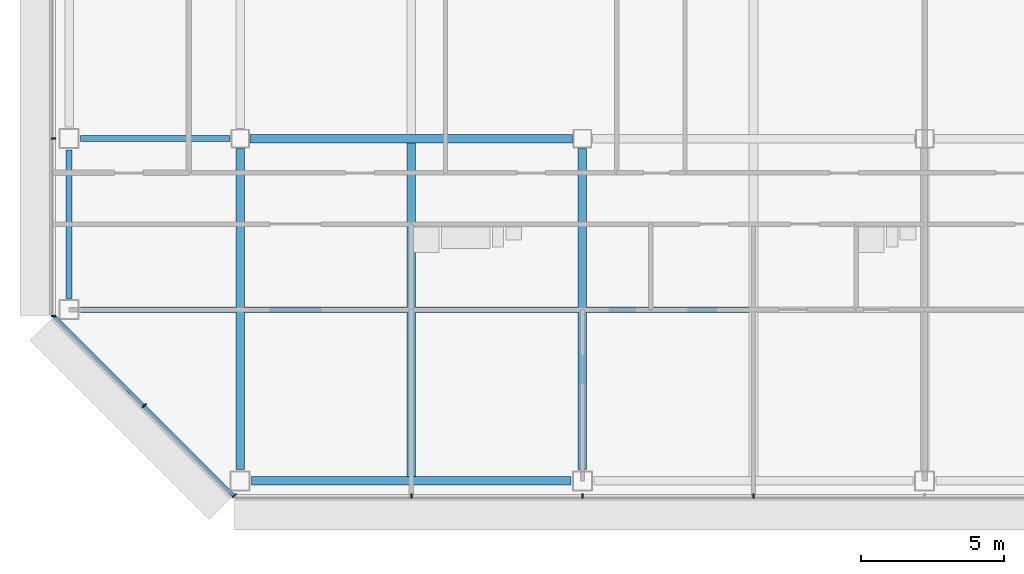
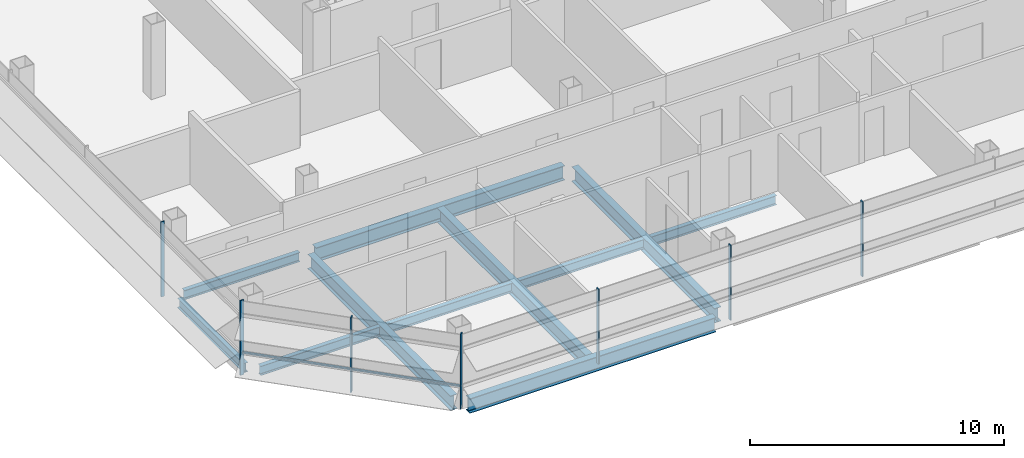
# One storey, part 2 of 26: 11 beams, 8 members, 3 elements without a shape of their own.
"""IFC4 building model written with IfcOpenShell, lengths in metres."""

from ifc_helpers import new_model, si_unit, direction, frame, origin, origin_2d, place, context, subcontext, project, spatial, rectangle, i_section, extrude, material, material_profile, profile_set, type_object, element, aggregate, save


model = new_model("IFC4")

# Units and contexts
model_context = context("Model", 3, precision=1e-05, world=origin(), true_north=direction((0.0, 1.0)))
body_context = subcontext(model_context, "Body", "Model", "MODEL_VIEW")
ifc_project = project(units=[si_unit("LENGTHUNIT", "METRE"), si_unit("AREAUNIT", "SQUARE_METRE"), si_unit("VOLUMEUNIT", "CUBIC_METRE"), si_unit("PLANEANGLEUNIT", "RADIAN"), si_unit("MASSUNIT", "GRAM", prefix="KILO")], contexts=[model_context])

# Site, building, storey
site_placement = place(None, origin())
site = spatial("IfcSite", under=ifc_project, at=site_placement, CompositionType="ELEMENT")
building_placement = place(site_placement, origin())
building = spatial("IfcBuilding", under=site, at=building_placement, Name="Sorahane Residences", CompositionType="ELEMENT")
storey_placement = place(building_placement, frame((0.0, 0.0, 147.39990234375)))
storey = spatial("IfcBuildingStorey", under=building, at=storey_placement, Name="L33", CompositionType="ELEMENT", Elevation=147.39990234375)

# Curtain wall, members
ifc_material_1 = material(Name="Dark low-e glass and black anodised aluminium", Category="aluminium")
curtain_wall_type_1 = type_object("IfcCurtainWallType", Name="Curtain wall CW-1 Typical unitised wall", PredefinedType="NOTDEFINED", material=ifc_material_1)
curtain_wall_1_placement = place(storey_placement, origin())
curtain_wall_1 = element("IfcCurtainWall", 1, at=curtain_wall_1_placement, inside=storey, type_object=curtain_wall_type_1, Name="CW-1 curtain wall L33 S1", PredefinedType="NOTDEFINED")
ifc_material_2 = material(Name="Black anodised aluminium", Category="aluminium")
ifc_material_profile_1 = material_profile(ifc_material_2, rectangle(XDim=0.159912109375, YDim=0.050048828125, at=origin_2d()), Name="Curtain wall mullion CW-1 black anodised aluminium 50x160")
ifc_profile_set_1 = profile_set([ifc_material_profile_1], Name="Black anodised aluminium")
member_type_1 = type_object("IfcMemberType", Name="Curtain wall mullion CW-1 black anodised aluminium 50x160", PredefinedType="MULLION", material=ifc_profile_set_1)
member_1_placement = place(storey_placement, frame((6.0, -0.5400390625, -0.179931640625), z_axis=(0.0, 0.0, 1.0), x_axis=(0.0, -1.0, 0.0)))
member_1 = element("IfcMember", 2, at=member_1_placement, type_object=member_type_1, Name="CW-1 mullion L33 S1.2", PredefinedType="MULLION", context=body_context, shape_type="SweptSolid", body=[
    extrude(rectangle(XDim=0.159912109375, YDim=0.050048828125, at=origin_2d()), origin(), (0.0, 0.0, 1.0), 3.60009765625),
])
member_2_placement = place(storey_placement, frame((12.0, -0.5400390625, -0.179931640625), z_axis=(0.0, 0.0, 1.0), x_axis=(0.0, -1.0, 0.0)))
member_2 = element("IfcMember", 3, at=member_2_placement, type_object=member_type_1, Name="CW-1 mullion L33 S1.3", PredefinedType="MULLION", context=body_context, shape_type="SweptSolid", body=[
    extrude(rectangle(XDim=0.159912109375, YDim=0.050048828125, at=origin_2d()), origin(), (0.0, 0.0, 1.0), 3.60009765625),
])
member_3_placement = place(storey_placement, frame((18.0, -0.5400390625, -0.179931640625), z_axis=(0.0, 0.0, 1.0), x_axis=(0.0, -1.0, 0.0)))
member_3 = element("IfcMember", 4, at=member_3_placement, type_object=member_type_1, Name="CW-1 mullion L33 S1.4", PredefinedType="MULLION", context=body_context, shape_type="SweptSolid", body=[
    extrude(rectangle(XDim=0.159912109375, YDim=0.050048828125, at=origin_2d()), origin(), (0.0, 0.0, 1.0), 3.60009765625),
])
aggregate(curtain_wall_1, [member_1, member_2, member_3])

curtain_wall_2_placement = place(storey_placement, origin())
curtain_wall_2 = element("IfcCurtainWall", 5, at=curtain_wall_2_placement, inside=storey, type_object=curtain_wall_type_1, Name="CW-1 curtain wall L33 W1", PredefinedType="NOTDEFINED")
member_4_placement = place(storey_placement, frame((-6.5400390625, 12.0, -0.179931640625), z_axis=(0.0, 0.0, 1.0), x_axis=(-1.0, 0.0, 0.0)))
member_4 = element("IfcMember", 6, at=member_4_placement, type_object=member_type_1, Name="CW-1 mullion L33 W1.6", PredefinedType="MULLION", context=body_context, shape_type="SweptSolid", body=[
    extrude(rectangle(XDim=0.159912109375, YDim=0.050048828125, at=origin_2d()), origin(), (0.0, 0.0, 1.0), 3.60009765625),
])
member_5_placement = place(storey_placement, frame((-6.5400390625, 5.7763671875, -0.179931640625), z_axis=(0.0, 0.0, 1.0), x_axis=(-1.0, 0.0, 0.0)))
member_5 = element("IfcMember", 7, at=member_5_placement, type_object=member_type_1, Name="CW-1 mullion L33 W1.7", PredefinedType="MULLION", context=body_context, shape_type="SweptSolid", body=[
    extrude(rectangle(XDim=0.159912109375, YDim=0.050048828125, at=origin_2d()), origin(), (0.0, 0.0, 1.0), 3.60009765625),
])
aggregate(curtain_wall_2, [member_4, member_5])

ifc_material_3 = material(Name="Dark low-e glass and black anodised aluminium", Category="aluminium")
curtain_wall_type_2 = type_object("IfcCurtainWallType", Name="Curtain wall CW-2 Chamfer unitised wall", PredefinedType="NOTDEFINED", material=ifc_material_3)
curtain_wall_3_placement = place(storey_placement, origin())
curtain_wall_3 = element("IfcCurtainWall", 8, at=curtain_wall_3_placement, inside=storey, type_object=curtain_wall_type_2, Name="CW-2 curtain wall L33 SW1", PredefinedType="NOTDEFINED")
ifc_material_4 = material(Name="Black anodised aluminium", Category="aluminium")
ifc_material_profile_2 = material_profile(ifc_material_4, rectangle(XDim=0.199951171875, YDim=0.050048828125, at=origin_2d()), Name="Curtain wall mullion CW-2 black anodised aluminium 50x200")
ifc_profile_set_2 = profile_set([ifc_material_profile_2], Name="Black anodised aluminium")
member_type_2 = type_object("IfcMemberType", Name="Curtain wall mullion CW-2 black anodised aluminium 50x200", PredefinedType="MULLION", material=ifc_profile_set_2)
member_6_placement = place(storey_placement, frame((-3.36767578125, 2.63232421875, -0.179931640625), z_axis=(0.0, 0.0, 1.0), x_axis=(-0.707106781187, -0.707106781187, 0.0)))
member_6 = element("IfcMember", 9, at=member_6_placement, type_object=member_type_2, Name="CW-2 mullion L33 SW1.2", PredefinedType="MULLION", context=body_context, shape_type="SweptSolid", body=[
    extrude(rectangle(XDim=0.199951171875, YDim=0.050048828125, at=origin_2d()), origin(), (0.0, 0.0, 1.0), 3.60009765625),
])
member_7_placement = place(storey_placement, frame((-0.209716796875, -0.525634765625, -0.179931640625), z_axis=(0.0, 0.0, 1.0), x_axis=(-0.707106781187, -0.707106781187, 0.0)))
member_7 = element("IfcMember", 10, at=member_7_placement, type_object=member_type_2, Name="CW-2 mullion L33 SW1.3", PredefinedType="MULLION", context=body_context, shape_type="SweptSolid", body=[
    extrude(rectangle(XDim=0.199951171875, YDim=0.050048828125, at=origin_2d()), origin(), (0.0, 0.0, 1.0), 3.60009765625),
])
ifc_material_5 = material(Name="Black anodised aluminium", Category="aluminium")
ifc_material_profile_3 = material_profile(ifc_material_5, rectangle(XDim=0.10009765625, YDim=0.06005859375, at=origin_2d()), Name="Curtain wall transom CW-2 black anodised aluminium 60x100")
ifc_profile_set_3 = profile_set([ifc_material_profile_3], Name="Black anodised aluminium")
member_type_3 = type_object("IfcMemberType", Name="Curtain wall transom CW-2 black anodised aluminium 60x100", PredefinedType="USERDEFINED", material=ifc_profile_set_3)
member_8_placement = place(storey_placement, frame((-6.51513671875, 5.765625, 0.900146484375), z_axis=(0.707106781187, -0.707106781187, 0.0), x_axis=(0.707106781187, 0.707106781187, 0.0)))
member_8 = element("IfcMember", 11, at=member_8_placement, type_object=member_type_3, Name="CW-2 transom L33 SW1", ObjectType="TRANSOM", PredefinedType="USERDEFINED", context=body_context, shape_type="SweptSolid", body=[
    extrude(rectangle(XDim=0.10009765625, YDim=0.06005859375, at=origin_2d()), origin(), (0.0, 0.0, 1.0), 8.88232421875),
])
aggregate(curtain_wall_3, [member_6, member_7, member_8])

# Beams
ifc_material_6 = material(Name="Steel Q355B", Category="steel")
ifc_material_profile_4 = material_profile(ifc_material_6, i_section(OverallWidth=0.199951171875, OverallDepth=0.449951171875, WebThickness=0.009033203125, FlangeThickness=0.013916015625, FilletRadius=0.02001953125, at=origin_2d()), Name="HN 450x200x9x14")
ifc_profile_set_4 = profile_set([ifc_material_profile_4], Name="Steel Q355B")
beam_type_1 = type_object("IfcBeamType", Name="Steel floor beam HN 450x200x9x14 Q355B", PredefinedType="BEAM", material=ifc_profile_set_4)
beam_1_placement = place(storey_placement, frame((-5.60009765625, 12.0, -0.40478515625), z_axis=(1.0, 0.0, 0.0), x_axis=(0.0, 1.0, 0.0)))
element("IfcBeam", 12, at=beam_1_placement, inside=storey, type_object=beam_type_1, Name="Beam L33 005", PredefinedType="BEAM", context=body_context, shape_type="SweptSolid", body=[
    extrude(i_section(OverallWidth=0.199951171875, OverallDepth=0.449951171875, WebThickness=0.009033203125, FlangeThickness=0.013916015625, FilletRadius=0.02001953125, at=origin_2d()), origin(), (0.0, 0.0, 1.0), 5.25),
])
beam_2_placement = place(storey_placement, frame((-6.0, 6.39990234375, -0.40478515625), z_axis=(0.0, 1.0, 0.0), x_axis=(-1.0, 0.0, 0.0)))
element("IfcBeam", 13, at=beam_2_placement, inside=storey, type_object=beam_type_1, Name="Beam L33 020", PredefinedType="BEAM", context=body_context, shape_type="SweptSolid", body=[
    extrude(i_section(OverallWidth=0.199951171875, OverallDepth=0.449951171875, WebThickness=0.009033203125, FlangeThickness=0.013916015625, FilletRadius=0.02001953125, at=origin_2d()), origin(), (0.0, 0.0, 1.0), 5.2001953125),
])
beam_3_placement = place(storey_placement, frame((-5.60009765625, 6.0, -0.40478515625), z_axis=(1.0, 0.0, 0.0), x_axis=(0.0, 1.0, 0.0)))
element("IfcBeam", 14, at=beam_3_placement, inside=storey, type_object=beam_type_1, Name="Beam L33 068", PredefinedType="BEAM", context=body_context, shape_type="SweptSolid", body=[
    extrude(i_section(OverallWidth=0.199951171875, OverallDepth=0.449951171875, WebThickness=0.009033203125, FlangeThickness=0.013916015625, FilletRadius=0.02001953125, at=origin_2d()), origin(), (0.0, 0.0, 1.0), 5.4501953125),
])
for number, where, z_axis, x_axis, name in (
    (15, (0.14990234375, 6.0, -0.40478515625), (1.0, 0.0, 0.0), (0.0, 1.0, 0.0), "Beam L33 069"),
    (16, (6.14990234375, 6.0, -0.40478515625), (1.0, 0.0, 0.0), (0.0, 1.0, 0.0), "Beam L33 070"),
    (17, (12.14990234375, 6.0, -0.40478515625), (1.0, 0.0, 0.0), (0.0, 1.0, 0.0), "Beam L33 071"),
):
    element("IfcBeam", number, at=place(storey_placement, frame(where, z_axis=z_axis, x_axis=x_axis)), inside=storey, type_object=beam_type_1, Name=name, PredefinedType="BEAM", context=body_context, shape_type="SweptSolid", body=[
        extrude(i_section(OverallWidth=0.199951171875, OverallDepth=0.449951171875, WebThickness=0.009033203125, FlangeThickness=0.013916015625, FilletRadius=0.02001953125, at=origin_2d()), origin(), (0.0, 0.0, 1.0), 5.7001953125),
    ])
ifc_material_7 = material(Name="Steel Q355B", Category="steel")
ifc_material_profile_5 = material_profile(ifc_material_7, i_section(OverallWidth=0.300048828125, OverallDepth=0.699951171875, WebThickness=0.012939453125, FlangeThickness=0.02392578125, FilletRadius=0.028076171875, at=origin_2d()), Name="HN 700x300x13x24")
ifc_profile_set_5 = profile_set([ifc_material_profile_5], Name="Steel Q355B")
beam_type_2 = type_object("IfcBeamType", Name="Steel floor beam HN 700x300x13x24 Q355B", PredefinedType="BEAM", material=ifc_profile_set_5)
beam_4_placement = place(storey_placement, frame((0.39990234375, 0.0, -0.52978515625), z_axis=(1.0, 0.0, 0.0), x_axis=(0.0, 1.0, 0.0)))
element("IfcBeam", 18, at=beam_4_placement, inside=storey, type_object=beam_type_2, Name="Beam L33 000", PredefinedType="BEAM", context=body_context, shape_type="SweptSolid", body=[
    extrude(i_section(OverallWidth=0.300048828125, OverallDepth=0.699951171875, WebThickness=0.012939453125, FlangeThickness=0.02392578125, FilletRadius=0.028076171875, at=origin_2d()), origin(), (0.0, 0.0, 1.0), 11.2001953125),
])
beam_5_placement = place(storey_placement, frame((0.35009765625, 12.0, -0.52978515625), z_axis=(1.0, 0.0, 0.0), x_axis=(0.0, 1.0, 0.0)))
element("IfcBeam", 19, at=beam_5_placement, inside=storey, type_object=beam_type_2, Name="Beam L33 006", PredefinedType="BEAM", context=body_context, shape_type="SweptSolid", body=[
    extrude(i_section(OverallWidth=0.300048828125, OverallDepth=0.699951171875, WebThickness=0.012939453125, FlangeThickness=0.02392578125, FilletRadius=0.028076171875, at=origin_2d()), origin(), (0.0, 0.0, 1.0), 11.2998046875),
])
beam_6_placement = place(storey_placement, frame((0.0, 0.39990234375, -0.52978515625), z_axis=(0.0, 1.0, 0.0), x_axis=(-1.0, 0.0, 0.0)))
element("IfcBeam", 20, at=beam_6_placement, inside=storey, type_object=beam_type_2, Name="Beam L33 024", PredefinedType="BEAM", context=body_context, shape_type="SweptSolid", body=[
    extrude(i_section(OverallWidth=0.300048828125, OverallDepth=0.699951171875, WebThickness=0.012939453125, FlangeThickness=0.02392578125, FilletRadius=0.028076171875, at=origin_2d()), origin(), (0.0, 0.0, 1.0), 11.25),
])
beam_7_placement = place(storey_placement, frame((6.0, 0.14990234375, -0.52978515625), z_axis=(0.0, 1.0, 0.0), x_axis=(-1.0, 0.0, 0.0)))
element("IfcBeam", 21, at=beam_7_placement, inside=storey, type_object=beam_type_2, Name="Beam L33 028", PredefinedType="BEAM", context=body_context, shape_type="SweptSolid", body=[
    extrude(i_section(OverallWidth=0.300048828125, OverallDepth=0.699951171875, WebThickness=0.012939453125, FlangeThickness=0.02392578125, FilletRadius=0.028076171875, at=origin_2d()), origin(), (0.0, 0.0, 1.0), 11.7001953125),
])
beam_8_placement = place(storey_placement, frame((12.0, 0.39990234375, -0.52978515625), z_axis=(0.0, 1.0, 0.0), x_axis=(-1.0, 0.0, 0.0)))
element("IfcBeam", 22, at=beam_8_placement, inside=storey, type_object=beam_type_2, Name="Beam L33 034", PredefinedType="BEAM", context=body_context, shape_type="SweptSolid", body=[
    extrude(i_section(OverallWidth=0.300048828125, OverallDepth=0.699951171875, WebThickness=0.012939453125, FlangeThickness=0.02392578125, FilletRadius=0.028076171875, at=origin_2d()), origin(), (0.0, 0.0, 1.0), 11.25),
])

save(model, "model.ifc")
